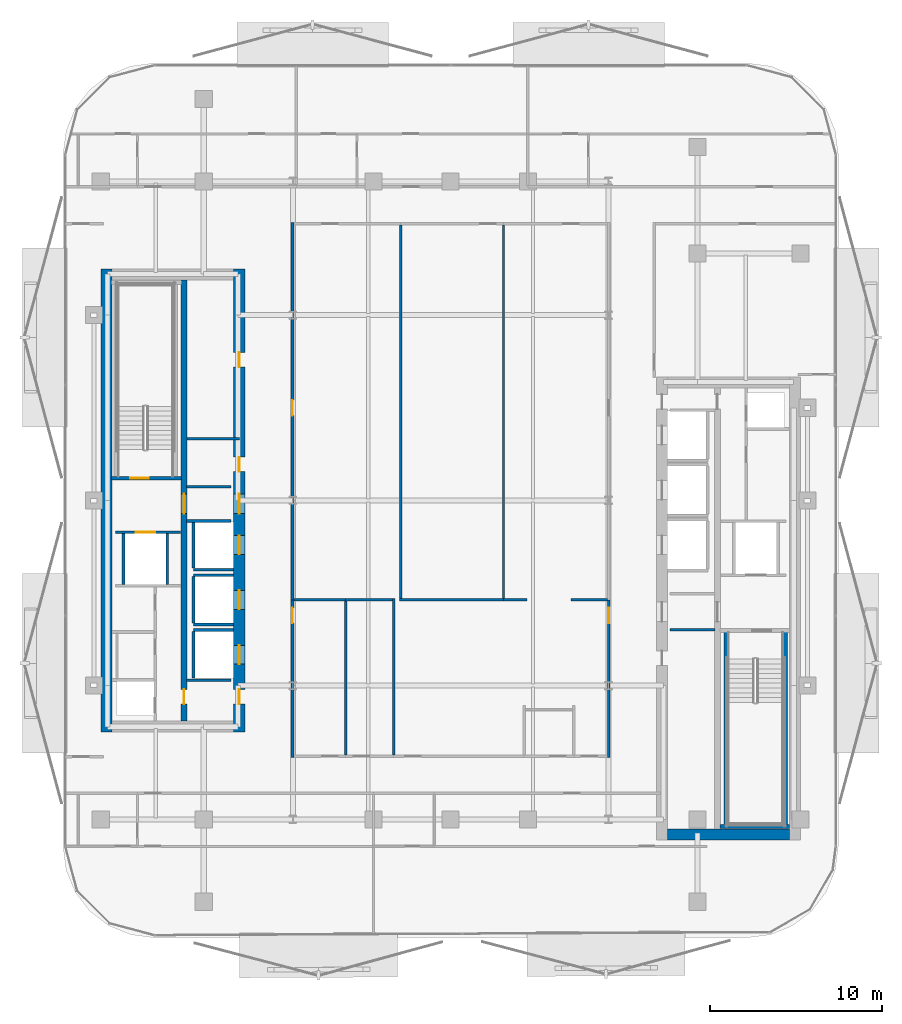
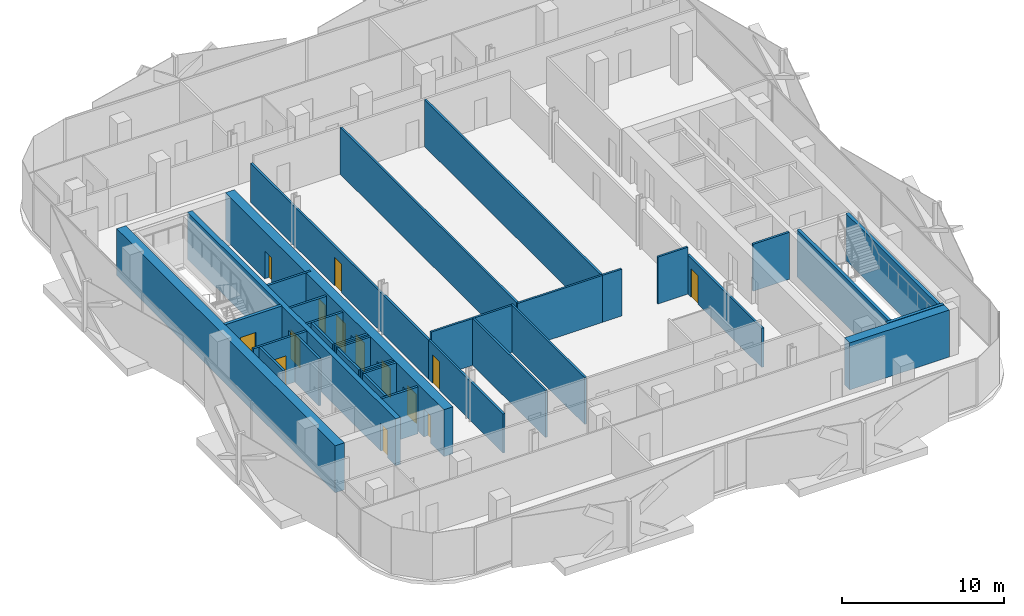
# One storey, part 4 of 16: 35 walls, 14 doors, 14 openings.
"""IFC4 building model written with IfcOpenShell, lengths in metres."""

from ifc_helpers import new_model, si_unit, direction, frame, frame_2d, origin, place, context, subcontext, project, spatial, rectangle, extrude, material, layer, layer_set, type_object, element, fill, save


model = new_model("IFC4")

# Units and contexts
model_context = context("Model", 3, precision=1e-05, world=origin(), true_north=direction((0.0, 1.0)))
body_context = subcontext(model_context, "Body", "Model", "MODEL_VIEW")
ifc_project = project(units=[si_unit("LENGTHUNIT", "METRE"), si_unit("AREAUNIT", "SQUARE_METRE"), si_unit("VOLUMEUNIT", "CUBIC_METRE"), si_unit("PLANEANGLEUNIT", "RADIAN"), si_unit("MASSUNIT", "GRAM", prefix="KILO")], contexts=[model_context])

# Site, building, storey
site_placement = place(None, origin())
site = spatial("IfcSite", under=ifc_project, at=site_placement, CompositionType="ELEMENT")
building_placement = place(site_placement, origin())
building = spatial("IfcBuilding", under=site, at=building_placement, Name="Khairoan Windgate Tower", CompositionType="ELEMENT")
storey_placement = place(building_placement, frame((0.0, 0.0, 187.800048828125)))
storey = spatial("IfcBuildingStorey", under=building, at=storey_placement, Name="L43", CompositionType="ELEMENT", Elevation=187.800048828125)

# Walls
ifc_material_1 = material(Name="Concrete C40/50", Category="concrete")
ifc_layer_1 = layer(ifc_material_1, 0.159912109375, Name="Concrete C40/50")
ifc_layer_set_1 = layer_set([ifc_layer_1], Name="Concrete C40/50")
wall_type_1 = type_object("IfcWallType", Name="Core and Hoistway Enclosure Wall", PredefinedType="STANDARD", material=ifc_layer_set_1)
wall_1_placement = place(storey_placement, frame((-14.989990234375, -4.0400390625, 0.0), z_axis=(0.0, 0.0, 1.0), x_axis=(1.0, 0.0, 0.0)))
element("IfcWall", 1, at=wall_1_placement, inside=storey, type_object=wall_type_1, Name="L43 Lift PL4 Hoistway Divider S", PredefinedType="STANDARD", context=body_context, shape_type="SweptSolid", body=[
    extrude(rectangle(XDim=2.340087890625, YDim=0.159912109375, at=frame_2d((1.169921875, 0.0))), origin(), (0.0, 0.0, 1.0), 3.5400390625),
])
wall_2_placement = place(storey_placement, frame((-14.989990234375, -3.949951171875, 0.0), z_axis=(0.0, 0.0, 1.0), x_axis=(0.0, 1.0, 0.0)))
element("IfcWall", 2, at=wall_2_placement, inside=storey, type_object=wall_type_1, Name="L43 Lift PL4 Hoistway Back Wall", PredefinedType="STANDARD", context=body_context, shape_type="SweptSolid", body=[
    extrude(rectangle(XDim=2.699951171875, YDim=0.159912109375, at=frame_2d((1.35009765625, 0.0))), origin(), (0.0, 0.0, 1.0), 3.5400390625),
])
for number, where, z_axis, x_axis, name in (
    (3, (-14.989990234375, -7.239990234375, 0.0), (0.0, 0.0, 1.0), (1.0, 0.0, 0.0), "L43 Lift PL5 Hoistway Divider S"),
    (4, (-14.989990234375, -4.360107421875, 0.0), (0.0, 0.0, 1.0), (1.0, 0.0, 0.0), "L43 Lift PL5 Hoistway Divider N"),
):
    element("IfcWall", number, at=place(storey_placement, frame(where, z_axis=z_axis, x_axis=x_axis)), inside=storey, type_object=wall_type_1, Name=name, PredefinedType="STANDARD", context=body_context, shape_type="SweptSolid", body=[
        extrude(rectangle(XDim=2.340087890625, YDim=0.159912109375, at=frame_2d((1.169921875, 0.0))), origin(), (0.0, 0.0, 1.0), 3.5400390625),
    ])
wall_3_placement = place(storey_placement, frame((-14.989990234375, -7.14990234375, 0.0), z_axis=(0.0, 0.0, 1.0), x_axis=(0.0, 1.0, 0.0)))
element("IfcWall", 5, at=wall_3_placement, inside=storey, type_object=wall_type_1, Name="L43 Lift PL5 Hoistway Back Wall", PredefinedType="STANDARD", context=body_context, shape_type="SweptSolid", body=[
    extrude(rectangle(XDim=2.699951171875, YDim=0.159912109375, at=frame_2d((1.35009765625, 0.0))), origin(), (0.0, 0.0, 1.0), 3.5400390625),
])
wall_4_placement = place(storey_placement, frame((-14.989990234375, -7.56005859375, 0.0), z_axis=(0.0, 0.0, 1.0), x_axis=(1.0, 0.0, 0.0)))
element("IfcWall", 6, at=wall_4_placement, inside=storey, type_object=wall_type_1, Name="L43 Lift PL6 Hoistway Divider N", PredefinedType="STANDARD", context=body_context, shape_type="SweptSolid", body=[
    extrude(rectangle(XDim=2.340087890625, YDim=0.159912109375, at=frame_2d((1.169921875, 0.0))), origin(), (0.0, 0.0, 1.0), 3.5400390625),
])
wall_5_placement = place(storey_placement, frame((-14.989990234375, -10.35009765625, 0.0), z_axis=(0.0, 0.0, 1.0), x_axis=(0.0, 1.0, 0.0)))
element("IfcWall", 7, at=wall_5_placement, inside=storey, type_object=wall_type_1, Name="L43 Lift PL6 Hoistway Back Wall", PredefinedType="STANDARD", context=body_context, shape_type="SweptSolid", body=[
    extrude(rectangle(XDim=2.7001953125, YDim=0.159912109375, at=frame_2d((1.35009765625, 0.0))), origin(), (0.0, 0.0, 1.0), 3.5400390625),
])

# Wall, opening, door
wall_6_placement = place(storey_placement, frame((-19.550048828125, -1.860107421875, 0.0), z_axis=(0.0, 0.0, 1.0), x_axis=(1.0, 0.0, 0.0)))
wall_6 = element("IfcWall", 8, at=wall_6_placement, inside=storey, type_object=wall_type_1, Name="L43 Core Shaft Wall SW-FL2-L43", PredefinedType="STANDARD", context=body_context, shape_type="SweptSolid", body=[
    extrude(rectangle(XDim=3.800048828125, YDim=0.159912109375, at=frame_2d((1.89990234375, 0.0))), origin(), (0.0, 0.0, 1.0), 3.5400390625),
])
opening_1_placement = place(wall_6_placement, frame((1.179931640625, 0.0, 0.0)))
opening_1 = element("IfcOpeningElement", 9, at=opening_1_placement, cuts=wall_6, Name="Opening LD-FL", PredefinedType="OPENING", context=body_context, shape_type="SweptSolid", body=[
    extrude(rectangle(XDim=1.14990234375, YDim=2.199951171875, at=frame_2d((0.574951171875, 1.10009765625))), frame((0.0, 0.08984375, 0.0), z_axis=(0.0, -1.0, 0.0), x_axis=(1.0, 0.0, 0.0)), (0.0, 0.0, 1.0), 0.179931640625),
])
ifc_material_2 = material(Name="Steel S355", Category="steel")
door_type_1 = type_object("IfcDoorType", Name="Firefighting Lift Sliding Landing Door LD-FL 1150x2200", OperationType="DOUBLE_DOOR_SLIDING", PredefinedType="DOOR", material=ifc_material_2)
door_1_placement = place(opening_1_placement, origin())
door_1 = element("IfcDoor", 10, at=door_1_placement, inside=storey, type_object=door_type_1, Name="L43 Firefighting Lift FL2 Landing Door", OperationType="DOUBLE_DOOR_SLIDING", OverallHeight=2.199951171875, OverallWidth=1.14990234375, PredefinedType="DOOR", context=body_context, shape_type="SweptSolid", body=[
    extrude(rectangle(XDim=1.14990234375, YDim=2.199951171875, at=frame_2d((0.574951171875, 1.10009765625))), frame((0.0, 0.02490234375, 0.0), z_axis=(0.0, -1.0, 0.0), x_axis=(1.0, 0.0, 0.0)), (0.0, 0.0, 1.0), 0.050048828125),
])
fill(opening_1, door_1)

# Walls
for number, where, z_axis, x_axis, name in (
    (11, (-19.080078125, -4.89990234375, 0.0), (0.0, 0.0, 1.0), (0.0, 1.0, 0.0), "L43 Core Shaft Wall SW-FL2W-L43"),
    (12, (-16.52001953125, -4.89990234375, 0.0), (0.0, 0.0, 1.0), (0.0, 1.0, 0.0), "L43 Core Shaft Wall SW-FL2E-L43"),
):
    element("IfcWall", number, at=place(storey_placement, frame(where, z_axis=z_axis, x_axis=x_axis)), inside=storey, type_object=wall_type_1, Name=name, PredefinedType="STANDARD", context=body_context, shape_type="SweptSolid", body=[
        extrude(rectangle(XDim=2.9599609375, YDim=0.159912109375, at=frame_2d((1.47998046875, 0.0))), origin(), (0.0, 0.0, 1.0), 3.5400390625),
    ])
for number, where, z_axis, x_axis, name in (
    (13, (-15.39990234375, 0.800048828125, 0.0), (0.0, 0.0, 1.0), (1.0, 0.0, 0.0), "L43 Core Shaft Wall SW-WV1-L43"),
    (14, (-15.39990234375, -1.199951171875, 0.0), (0.0, 0.0, 1.0), (1.0, 0.0, 0.0), "L43 Core Shaft Wall SW-WV2-L43"),
    (15, (-15.39990234375, -10.47998046875, 0.0), (0.0, 0.0, 1.0), (1.0, 0.0, 0.0), "L43 Core Shaft Wall SW-WSV-L43"),
    (16, (12.800048828125, -7.5400390625, 0.0), (0.0, 0.0, 1.0), (1.0, 0.0, 0.0), "L43 Core Shaft Wall SW-EV2-L43"),
):
    element("IfcWall", number, at=place(storey_placement, frame(where, z_axis=z_axis, x_axis=x_axis)), inside=storey, type_object=wall_type_1, Name=name, PredefinedType="STANDARD", context=body_context, shape_type="SweptSolid", body=[
        extrude(rectangle(XDim=2.599853515625, YDim=0.159912109375, at=frame_2d((1.2998046875, 0.0))), origin(), (0.0, 0.0, 1.0), 3.5400390625),
    ])
ifc_material_3 = material(Name="Acoustic Fire-Rated Gypsum Partition", Category="gypsum")
ifc_layer_2 = layer(ifc_material_3, 0.139892578125, Name="Acoustic Fire-Rated Gypsum Partition")
ifc_layer_set_2 = layer_set([ifc_layer_2], Name="Acoustic Fire-Rated Gypsum Partition")
wall_type_2 = type_object("IfcWallType", Name="Inter-Tenancy Compartment Wall", PredefinedType="PARTITIONING", material=ifc_layer_set_2)
wall_7_placement = place(storey_placement, frame((-6.1201171875, -14.844970703125, 0.0), z_axis=(0.0, 0.0, 1.0), x_axis=(0.0, 1.0, 0.0)))
element("IfcWall", 17, at=wall_7_placement, inside=storey, type_object=wall_type_2, Name="L43 Interior Partition 036", PredefinedType="PARTITIONING", context=body_context, shape_type="SweptSolid", body=[
    extrude(rectangle(XDim=8.974853515625, YDim=0.139892578125, at=frame_2d((4.4873046875, 0.0))), origin(), (0.0, 0.0, 1.0), 3.5400390625),
])
wall_8_placement = place(storey_placement, frame((-9.14501953125, -5.800048828125, 0.0), z_axis=(0.0, 0.0, 1.0), x_axis=(1.0, 0.0, 0.0)))
element("IfcWall", 18, at=wall_8_placement, inside=storey, type_object=wall_type_2, Name="L43 Interior Partition 037", PredefinedType="PARTITIONING", context=body_context, shape_type="SweptSolid", body=[
    extrude(rectangle(XDim=3.02490234375, YDim=0.139892578125, at=frame_2d((1.512451171875, 0.0))), origin(), (0.0, 0.0, 1.0), 3.5400390625),
])
wall_9_placement = place(storey_placement, frame((-3.320068359375, -14.844970703125, 0.0), z_axis=(0.0, 0.0, 1.0), x_axis=(0.0, 1.0, 0.0)))
element("IfcWall", 19, at=wall_9_placement, inside=storey, type_object=wall_type_2, Name="L43 Interior Partition 038", PredefinedType="PARTITIONING", context=body_context, shape_type="SweptSolid", body=[
    extrude(rectangle(XDim=9.114990234375, YDim=0.139892578125, at=frame_2d((4.5576171875, 0.0))), origin(), (0.0, 0.0, 1.0), 3.5400390625),
])
wall_10_placement = place(storey_placement, frame((-6.1201171875, -5.800048828125, 0.0), z_axis=(0.0, 0.0, 1.0), x_axis=(1.0, 0.0, 0.0)))
element("IfcWall", 20, at=wall_10_placement, inside=storey, type_object=wall_type_2, Name="L43 Interior Partition 039", PredefinedType="PARTITIONING", context=body_context, shape_type="SweptSolid", body=[
    extrude(rectangle(XDim=2.730224609375, YDim=0.139892578125, at=frame_2d((1.365234375, 0.0))), origin(), (0.0, 0.0, 1.0), 3.5400390625),
])
wall_11_placement = place(storey_placement, frame((-2.989990234375, -5.800048828125, 0.0), z_axis=(0.0, 0.0, 1.0), x_axis=(1.0, 0.0, 0.0)))
element("IfcWall", 21, at=wall_11_placement, inside=storey, type_object=wall_type_2, Name="L43 Interior Partition 041", PredefinedType="PARTITIONING", context=body_context, shape_type="SweptSolid", body=[
    extrude(rectangle(XDim=6.070068359375, YDim=0.139892578125, at=frame_2d((3.03515625, 0.0))), origin(), (0.0, 0.0, 1.0), 3.5400390625),
])
wall_12_placement = place(storey_placement, frame((3.080078125, -5.800048828125, 0.0), z_axis=(0.0, 0.0, 1.0), x_axis=(1.0, 0.0, 0.0)))
element("IfcWall", 22, at=wall_12_placement, inside=storey, type_object=wall_type_2, Name="L43 Interior Partition 042", PredefinedType="PARTITIONING", context=body_context, shape_type="SweptSolid", body=[
    extrude(rectangle(XDim=1.35986328125, YDim=0.139892578125, at=frame_2d((0.679931640625, 0.0))), origin(), (0.0, 0.0, 1.0), 3.5400390625),
])
wall_13_placement = place(storey_placement, frame((7.02001953125, -5.800048828125, 0.0), z_axis=(0.0, 0.0, 1.0), x_axis=(1.0, 0.0, 0.0)))
element("IfcWall", 23, at=wall_13_placement, inside=storey, type_object=wall_type_2, Name="L43 Interior Partition 044", PredefinedType="PARTITIONING", context=body_context, shape_type="SweptSolid", body=[
    extrude(rectangle(XDim=2.125, YDim=0.139892578125, at=frame_2d((1.0625, 0.0))), origin(), (0.0, 0.0, 1.0), 3.5400390625),
])
for number, where, z_axis, x_axis, name in (
    (24, (-2.919921875, -5.72998046875, 0.0), (0.0, 0.0, 1.0), (0.0, 1.0, 0.0), "L43 Interior Partition 045"),
    (25, (3.080078125, -5.72998046875, 0.0), (0.0, 0.0, 1.0), (0.0, 1.0, 0.0), "L43 Interior Partition 046"),
):
    element("IfcWall", number, at=place(storey_placement, frame(where, z_axis=z_axis, x_axis=x_axis)), inside=storey, type_object=wall_type_2, Name=name, PredefinedType="PARTITIONING", context=body_context, shape_type="SweptSolid", body=[
        extrude(rectangle(XDim=21.77490234375, YDim=0.139892578125, at=frame_2d((10.887451171875, 0.0))), origin(), (0.0, 0.0, 1.0), 3.5400390625),
    ])
ifc_material_4 = material(Name="Concrete C40/50", Category="concrete")
ifc_layer_3 = layer(ifc_material_4, 0.159912109375, Name="Concrete C40/50")
ifc_layer_set_3 = layer_set([ifc_layer_3], Name="Concrete C40/50")
wall_type_3 = type_object("IfcWallType", Name="Plant and Refuge Compartment Wall", PredefinedType="PARTITIONING", material=ifc_layer_set_3)
wall_14_placement = place(storey_placement, frame((-15.375, 3.60009765625, 0.0), z_axis=(0.0, 0.0, 1.0), x_axis=(1.0, 0.0, 0.0)))
element("IfcWall", 26, at=wall_14_placement, inside=storey, type_object=wall_type_3, Name="L43 Interior Partition 006", PredefinedType="PARTITIONING", context=body_context, shape_type="SweptSolid", body=[
    extrude(rectangle(XDim=3.06494140625, YDim=0.159912109375, at=frame_2d((1.532470703125, 0.0))), origin(), (0.0, 0.0, 1.0), 3.5400390625),
])

# Wall, opening, door
ifc_material_5 = material(Name="Acoustic Fire-Rated Gypsum Partition", Category="gypsum")
ifc_layer_4 = layer(ifc_material_5, 0.14990234375, Name="Acoustic Fire-Rated Gypsum Partition")
ifc_layer_set_4 = layer_set([ifc_layer_4], Name="Acoustic Fire-Rated Gypsum Partition")
wall_type_4 = type_object("IfcWallType", Name="Rated Corridor Partition Wall", PredefinedType="PARTITIONING", material=ifc_layer_set_4)
wall_15_placement = place(storey_placement, frame((-9.219970703125, -14.9951171875, 0.0), z_axis=(0.0, 0.0, 1.0), x_axis=(0.0, 1.0, 0.0)))
wall_15 = element("IfcWall", 27, at=wall_15_placement, inside=storey, type_object=wall_type_4, Name="L43 Interior Partition 010", PredefinedType="PARTITIONING", context=body_context, shape_type="SweptSolid", body=[
    extrude(rectangle(XDim=9.195068359375, YDim=0.14990234375, at=frame_2d((4.59765625, 0.0))), origin(), (0.0, 0.0, 1.0), 2.951904296875),
])
opening_2_placement = place(wall_15_placement, frame((7.8349609375, 0.0, 0.0)))
opening_2 = element("IfcOpeningElement", 28, at=opening_2_placement, cuts=wall_15, Name="Opening FD-ENT", PredefinedType="OPENING", context=body_context, shape_type="SweptSolid", body=[
    extrude(rectangle(XDim=0.89990234375, YDim=2.14990234375, at=frame_2d((0.449951171875, 1.074951171875))), frame((0.0, 0.0849609375, 0.0), z_axis=(0.0, -1.0, 0.0), x_axis=(1.0, 0.0, 0.0)), (0.0, 0.0, 1.0), 0.169921875),
])
ifc_material_6 = material(Name="Timber Fire-Rated Core", Category="wood")
door_type_2 = type_object("IfcDoorType", Name="Unit and Office Fire Entrance Door FD-ENT 900x2150", OperationType="NOTDEFINED", PredefinedType="DOOR", material=ifc_material_6)
door_2_placement = place(opening_2_placement, origin())
door_2 = element("IfcDoor", 29, at=door_2_placement, inside=storey, type_object=door_type_2, Name="L43 L43-27-L43-31 Door", OperationType="SINGLE_SWING_RIGHT", OverallHeight=2.14990234375, OverallWidth=0.89990234375, PredefinedType="DOOR", context=body_context, shape_type="SweptSolid", body=[
    extrude(rectangle(XDim=0.89990234375, YDim=2.14990234375, at=frame_2d((0.449951171875, 1.074951171875))), frame((0.0, 0.02490234375, 0.0), z_axis=(0.0, -1.0, 0.0), x_axis=(1.0, 0.0, 0.0)), (0.0, 0.0, 1.0), 0.050048828125),
])
fill(opening_2, door_2)

wall_16_placement = place(storey_placement, frame((-9.219970703125, -5.800048828125, 0.0), z_axis=(0.0, 0.0, 1.0), x_axis=(0.0, 1.0, 0.0)))
wall_16 = element("IfcWall", 30, at=wall_16_placement, inside=storey, type_object=wall_type_4, Name="L43 Interior Partition 011", PredefinedType="PARTITIONING", context=body_context, shape_type="SweptSolid", body=[
    extrude(rectangle(XDim=21.9951171875, YDim=0.14990234375, at=frame_2d((10.99755859375, 0.0))), origin(), (0.0, 0.0, 1.0), 2.951904296875),
])
opening_3_placement = place(wall_16_placement, frame((10.749267578125, 0.0, 0.0)))
opening_3 = element("IfcOpeningElement", 31, at=opening_3_placement, cuts=wall_16, Name="Opening FD-ENT", PredefinedType="OPENING", context=body_context, shape_type="SweptSolid", body=[
    extrude(rectangle(XDim=0.89990234375, YDim=2.14990234375, at=frame_2d((0.449951171875, 1.074951171875))), frame((0.0, 0.0849609375, 0.0), z_axis=(0.0, -1.0, 0.0), x_axis=(1.0, 0.0, 0.0)), (0.0, 0.0, 1.0), 0.169921875),
])
door_3_placement = place(opening_3_placement, origin())
door_3 = element("IfcDoor", 32, at=door_3_placement, inside=storey, type_object=door_type_2, Name="L43 L43-27-L43-36 Door", OperationType="SINGLE_SWING_LEFT", OverallHeight=2.14990234375, OverallWidth=0.89990234375, PredefinedType="DOOR", context=body_context, shape_type="SweptSolid", body=[
    extrude(rectangle(XDim=0.89990234375, YDim=2.14990234375, at=frame_2d((0.449951171875, 1.074951171875))), frame((0.0, 0.02490234375, 0.0), z_axis=(0.0, -1.0, 0.0), x_axis=(1.0, 0.0, 0.0)), (0.0, 0.0, 1.0), 0.050048828125),
])
fill(opening_3, door_3)

wall_17_placement = place(storey_placement, frame((9.219970703125, -14.9951171875, 0.0), z_axis=(0.0, 0.0, 1.0), x_axis=(0.0, 1.0, 0.0)))
wall_17 = element("IfcWall", 33, at=wall_17_placement, inside=storey, type_object=wall_type_4, Name="L43 Interior Partition 012", PredefinedType="PARTITIONING", context=body_context, shape_type="SweptSolid", body=[
    extrude(rectangle(XDim=9.195068359375, YDim=0.14990234375, at=frame_2d((4.59765625, 0.0))), origin(), (0.0, 0.0, 1.0), 2.951904296875),
])
opening_4_placement = place(wall_17_placement, frame((7.8349609375, 0.0, 0.0)))
opening_4 = element("IfcOpeningElement", 34, at=opening_4_placement, cuts=wall_17, Name="Opening FD-ENT", PredefinedType="OPENING", context=body_context, shape_type="SweptSolid", body=[
    extrude(rectangle(XDim=0.89990234375, YDim=2.14990234375, at=frame_2d((0.449951171875, 1.074951171875))), frame((0.0, 0.0849609375, 0.0), z_axis=(0.0, -1.0, 0.0), x_axis=(1.0, 0.0, 0.0)), (0.0, 0.0, 1.0), 0.169921875),
])
door_4_placement = place(opening_4_placement, origin())
door_4 = element("IfcDoor", 35, at=door_4_placement, inside=storey, type_object=door_type_2, Name="L43 L43-28-L43-35 Door", OperationType="SINGLE_SWING_RIGHT", OverallHeight=2.14990234375, OverallWidth=0.89990234375, PredefinedType="DOOR", context=body_context, shape_type="SweptSolid", body=[
    extrude(rectangle(XDim=0.89990234375, YDim=2.14990234375, at=frame_2d((0.449951171875, 1.074951171875))), frame((0.0, 0.02490234375, 0.0), z_axis=(0.0, -1.0, 0.0), x_axis=(1.0, 0.0, 0.0)), (0.0, 0.0, 1.0), 0.050048828125),
])
fill(opening_4, door_4)

# Walls
ifc_material_7 = material(Name="Concrete C60/75", Category="concrete")
ifc_layer_5 = layer(ifc_material_7, 0.64990234375, Name="Concrete C60/75")
ifc_layer_set_5 = layer_set([ifc_layer_5], Name="Concrete C60/75")
wall_type_5 = type_object("IfcWallType", Name="Shear Wall CW-E2 650mm", PredefinedType="SHEAR", material=ifc_layer_set_5)
wall_18_placement = place(storey_placement, frame((12.64990234375, -19.47509765625, 0.0), z_axis=(0.0, 0.0, 1.0), x_axis=(1.0, 0.0, 0.0)))
element("IfcWall", 36, at=wall_18_placement, inside=storey, type_object=wall_type_5, Name="E Core South Shear Wall L43", PredefinedType="SHEAR", context=body_context, shape_type="SweptSolid", body=[
    extrude(rectangle(XDim=7.10009765625, YDim=0.64990234375, at=frame_2d((3.550048828125, 0.0))), origin(), (0.0, 0.0, 1.0), 3.5400390625),
])
ifc_material_8 = material(Name="Concrete C60/75", Category="concrete")
ifc_layer_6 = layer(ifc_material_8, 0.64990234375, Name="Concrete C60/75")
ifc_layer_set_6 = layer_set([ifc_layer_6], Name="Concrete C60/75")
wall_type_6 = type_object("IfcWallType", Name="Shear Wall CW-W2 650mm", PredefinedType="SHEAR", material=ifc_layer_set_6)
wall_19_placement = place(storey_placement, frame((-20.074951171875, -13.5, 0.0), z_axis=(0.0, 0.0, 1.0), x_axis=(0.0, 1.0, 0.0)))
element("IfcWall", 37, at=wall_19_placement, inside=storey, type_object=wall_type_6, Name="W Core West Shear Wall L43", PredefinedType="SHEAR", context=body_context, shape_type="SweptSolid", body=[
    extrude(rectangle(XDim=27.0, YDim=0.64990234375, at=frame_2d((13.5, 0.0))), origin(), (0.0, 0.0, 1.0), 3.5400390625),
])

# Wall, openings, doors
wall_20_placement = place(storey_placement, frame((-12.324951171875, -13.5, 0.0), z_axis=(0.0, 0.0, 1.0), x_axis=(0.0, 1.0, 0.0)))
wall_20 = element("IfcWall", 38, at=wall_20_placement, inside=storey, type_object=wall_type_6, Name="W Core East Shear Wall L43", PredefinedType="SHEAR", context=body_context, shape_type="SweptSolid", body=[
    extrude(rectangle(XDim=27.0, YDim=0.64990234375, at=frame_2d((13.5, 0.0))), origin(), (0.0, 0.0, 1.0), 3.5400390625),
])
opening_5_placement = place(wall_20_placement, frame((10.35009765625, 0.0, 0.0)))
opening_5 = element("IfcOpeningElement", 39, at=opening_5_placement, cuts=wall_20, Name="Opening LD-PL", PredefinedType="OPENING", context=body_context, shape_type="SweptSolid", body=[
    extrude(rectangle(XDim=1.10009765625, YDim=2.199951171875, at=frame_2d((0.550048828125, 1.10009765625))), frame((0.0, 0.3349609375, 0.0), z_axis=(0.0, -1.0, 0.0), x_axis=(1.0, 0.0, 0.0)), (0.0, 0.0, 1.0), 0.669921875),
])
opening_6_placement = place(wall_20_placement, frame((7.14990234375, 0.0, 0.0)))
opening_6 = element("IfcOpeningElement", 40, at=opening_6_placement, cuts=wall_20, Name="Opening LD-PL", PredefinedType="OPENING", context=body_context, shape_type="SweptSolid", body=[
    extrude(rectangle(XDim=1.10009765625, YDim=2.199951171875, at=frame_2d((0.550048828125, 1.10009765625))), frame((0.0, 0.3349609375, 0.0), z_axis=(0.0, -1.0, 0.0), x_axis=(1.0, 0.0, 0.0)), (0.0, 0.0, 1.0), 0.669921875),
])
opening_7_placement = place(wall_20_placement, frame((3.949951171875, 0.0, 0.0)))
opening_7 = element("IfcOpeningElement", 41, at=opening_7_placement, cuts=wall_20, Name="Opening LD-PL", PredefinedType="OPENING", context=body_context, shape_type="SweptSolid", body=[
    extrude(rectangle(XDim=1.10009765625, YDim=2.199951171875, at=frame_2d((0.550048828125, 1.10009765625))), frame((0.0, 0.3349609375, 0.0), z_axis=(0.0, -1.0, 0.0), x_axis=(1.0, 0.0, 0.0)), (0.0, 0.0, 1.0), 0.669921875),
])
opening_8_placement = place(wall_20_placement, frame((15.175048828125, 0.0, 0.0)))
opening_8 = element("IfcOpeningElement", 42, at=opening_8_placement, cuts=wall_20, Name="Opening FD-SRV", PredefinedType="OPENING", context=body_context, shape_type="SweptSolid", body=[
    extrude(rectangle(XDim=0.85009765625, YDim=2.10009765625, at=frame_2d((0.425048828125, 1.050048828125))), frame((0.0, 0.3349609375, 0.0), z_axis=(0.0, -1.0, 0.0), x_axis=(1.0, 0.0, 0.0)), (0.0, 0.0, 1.0), 0.669921875),
])
opening_9_placement = place(wall_20_placement, frame((21.27490234375, 0.0, 0.0)))
opening_9 = element("IfcOpeningElement", 43, at=opening_9_placement, cuts=wall_20, Name="Opening FD-SRV", PredefinedType="OPENING", context=body_context, shape_type="SweptSolid", body=[
    extrude(rectangle(XDim=0.85009765625, YDim=2.10009765625, at=frame_2d((0.425048828125, 1.050048828125))), frame((0.0, 0.3349609375, 0.0), z_axis=(0.0, -1.0, 0.0), x_axis=(1.0, 0.0, 0.0)), (0.0, 0.0, 1.0), 0.669921875),
])
opening_10_placement = place(wall_20_placement, frame((12.72509765625, 0.0, 0.0)))
opening_10 = element("IfcOpeningElement", 44, at=opening_10_placement, cuts=wall_20, Name="Opening FD-FFL", PredefinedType="OPENING", context=body_context, shape_type="SweptSolid", body=[
    extrude(rectangle(XDim=1.14990234375, YDim=2.199951171875, at=frame_2d((0.574951171875, 1.10009765625))), frame((0.0, 0.3349609375, 0.0), z_axis=(0.0, -1.0, 0.0), x_axis=(1.0, 0.0, 0.0)), (0.0, 0.0, 1.0), 0.669921875),
])
opening_11_placement = place(wall_20_placement, frame((1.625, 0.0, 0.0)))
opening_11 = element("IfcOpeningElement", 45, at=opening_11_placement, cuts=wall_20, Name="Opening FD-SRV", PredefinedType="OPENING", context=body_context, shape_type="SweptSolid", body=[
    extrude(rectangle(XDim=0.85009765625, YDim=2.10009765625, at=frame_2d((0.425048828125, 1.050048828125))), frame((0.0, 0.3349609375, 0.0), z_axis=(0.0, -1.0, 0.0), x_axis=(1.0, 0.0, 0.0)), (0.0, 0.0, 1.0), 0.669921875),
])
ifc_material_9 = material(Name="Steel S355", Category="steel")
door_type_3 = type_object("IfcDoorType", Name="Core Service and Riser Fire Door FD-SRV 850x2100", OperationType="NOTDEFINED", PredefinedType="DOOR", material=ifc_material_9)
door_5_placement = place(opening_8_placement, origin())
door_5 = element("IfcDoor", 46, at=door_5_placement, inside=storey, type_object=door_type_3, Name="L43 Upper Core Room Door B1-1", OperationType="SINGLE_SWING_RIGHT", OverallHeight=2.10009765625, OverallWidth=0.85009765625, PredefinedType="DOOR", context=body_context, shape_type="SweptSolid", body=[
    extrude(rectangle(XDim=0.85009765625, YDim=2.10009765625, at=frame_2d((0.425048828125, 1.050048828125))), frame((0.0, 0.02490234375, 0.0), z_axis=(0.0, -1.0, 0.0), x_axis=(1.0, 0.0, 0.0)), (0.0, 0.0, 1.0), 0.050048828125),
])
fill(opening_8, door_5)
door_6_placement = place(opening_9_placement, origin())
door_6 = element("IfcDoor", 47, at=door_6_placement, inside=storey, type_object=door_type_3, Name="L43 Upper Core Room Door B1-2", OperationType="SINGLE_SWING_LEFT", OverallHeight=2.10009765625, OverallWidth=0.85009765625, PredefinedType="DOOR", context=body_context, shape_type="SweptSolid", body=[
    extrude(rectangle(XDim=0.85009765625, YDim=2.10009765625, at=frame_2d((0.425048828125, 1.050048828125))), frame((0.0, 0.02490234375, 0.0), z_axis=(0.0, -1.0, 0.0), x_axis=(1.0, 0.0, 0.0)), (0.0, 0.0, 1.0), 0.050048828125),
])
fill(opening_9, door_6)
door_7_placement = place(opening_11_placement, origin())
door_7 = element("IfcDoor", 48, at=door_7_placement, inside=storey, type_object=door_type_3, Name="L43 West Core Service Vestibule Outer Door", OperationType="SINGLE_SWING_LEFT", OverallHeight=2.10009765625, OverallWidth=0.85009765625, PredefinedType="DOOR", context=body_context, shape_type="SweptSolid", body=[
    extrude(rectangle(XDim=0.85009765625, YDim=2.10009765625, at=frame_2d((0.425048828125, 1.050048828125))), frame((0.0, 0.02490234375, 0.0), z_axis=(0.0, -1.0, 0.0), x_axis=(1.0, 0.0, 0.0)), (0.0, 0.0, 1.0), 0.050048828125),
])
fill(opening_11, door_7)
ifc_material_10 = material(Name="Steel S355", Category="steel")
door_type_4 = type_object("IfcDoorType", Name="Firefighting Lobby Fire Door FD-FFL 1150x2200", OperationType="NOTDEFINED", PredefinedType="DOOR", material=ifc_material_10)
door_8_placement = place(opening_10_placement, origin())
door_8 = element("IfcDoor", 49, at=door_8_placement, inside=storey, type_object=door_type_4, Name="L43 West Core Vestibule Entry Door", OperationType="SINGLE_SWING_LEFT", OverallHeight=2.199951171875, OverallWidth=1.14990234375, PredefinedType="DOOR", context=body_context, shape_type="SweptSolid", body=[
    extrude(rectangle(XDim=1.14990234375, YDim=2.199951171875, at=frame_2d((0.574951171875, 1.10009765625))), frame((0.0, 0.02490234375, 0.0), z_axis=(0.0, -1.0, 0.0), x_axis=(1.0, 0.0, 0.0)), (0.0, 0.0, 1.0), 0.050048828125),
])
fill(opening_10, door_8)
ifc_material_11 = material(Name="Anodised Bronze Aluminium 6063-T6", Category="aluminium")
door_type_5 = type_object("IfcDoorType", Name="Passenger Lift Sliding Landing Door LD-PL 1100x2200", OperationType="DOUBLE_DOOR_SLIDING", PredefinedType="DOOR", material=ifc_material_11)
door_9_placement = place(opening_5_placement, origin())
door_9 = element("IfcDoor", 50, at=door_9_placement, inside=storey, type_object=door_type_5, Name="L43 Lift PL4 Sliding Landing Door", OperationType="DOUBLE_DOOR_SLIDING", OverallHeight=2.199951171875, OverallWidth=1.10009765625, PredefinedType="DOOR", context=body_context, shape_type="SweptSolid", body=[
    extrude(rectangle(XDim=1.10009765625, YDim=2.199951171875, at=frame_2d((0.550048828125, 1.10009765625))), frame((0.0, 0.02490234375, 0.0), z_axis=(0.0, -1.0, 0.0), x_axis=(1.0, 0.0, 0.0)), (0.0, 0.0, 1.0), 0.050048828125),
])
fill(opening_5, door_9)
door_10_placement = place(opening_6_placement, origin())
door_10 = element("IfcDoor", 51, at=door_10_placement, inside=storey, type_object=door_type_5, Name="L43 Lift PL5 Sliding Landing Door", OperationType="DOUBLE_DOOR_SLIDING", OverallHeight=2.199951171875, OverallWidth=1.10009765625, PredefinedType="DOOR", context=body_context, shape_type="SweptSolid", body=[
    extrude(rectangle(XDim=1.10009765625, YDim=2.199951171875, at=frame_2d((0.550048828125, 1.10009765625))), frame((0.0, 0.02490234375, 0.0), z_axis=(0.0, -1.0, 0.0), x_axis=(1.0, 0.0, 0.0)), (0.0, 0.0, 1.0), 0.050048828125),
])
fill(opening_6, door_10)
door_11_placement = place(opening_7_placement, origin())
door_11 = element("IfcDoor", 52, at=door_11_placement, inside=storey, type_object=door_type_5, Name="L43 Lift PL6 Sliding Landing Door", OperationType="DOUBLE_DOOR_SLIDING", OverallHeight=2.199951171875, OverallWidth=1.10009765625, PredefinedType="DOOR", context=body_context, shape_type="SweptSolid", body=[
    extrude(rectangle(XDim=1.10009765625, YDim=2.199951171875, at=frame_2d((0.550048828125, 1.10009765625))), frame((0.0, 0.02490234375, 0.0), z_axis=(0.0, -1.0, 0.0), x_axis=(1.0, 0.0, 0.0)), (0.0, 0.0, 1.0), 0.050048828125),
])
fill(opening_7, door_11)

ifc_material_12 = material(Name="Concrete C60/75", Category="concrete")
ifc_layer_7 = layer(ifc_material_12, 0.35009765625, Name="Concrete C60/75")
ifc_layer_set_7 = layer_set([ifc_layer_7], Name="Concrete C60/75")
wall_type_7 = type_object("IfcWallType", Name="Shear Wall SW-1 350mm", PredefinedType="SHEAR", material=ifc_layer_set_7)
wall_21_placement = place(storey_placement, frame((-15.550048828125, -12.85009765625, 0.0), z_axis=(0.0, 0.0, 1.0), x_axis=(0.0, 1.0, 0.0)))
wall_21 = element("IfcWall", 53, at=wall_21_placement, inside=storey, type_object=wall_type_7, Name="W Core Spine Shear Wall L43", PredefinedType="SHEAR", context=body_context, shape_type="SweptSolid", body=[
    extrude(rectangle(XDim=25.7001953125, YDim=0.35009765625, at=frame_2d((12.85009765625, 0.0))), origin(), (0.0, 0.0, 1.0), 3.5400390625),
])
opening_12_placement = place(wall_21_placement, frame((12.074951171875, 0.0, 0.0)))
opening_12 = element("IfcOpeningElement", 54, at=opening_12_placement, cuts=wall_21, Name="Opening FD-FFL", PredefinedType="OPENING", context=body_context, shape_type="SweptSolid", body=[
    extrude(rectangle(XDim=1.14990234375, YDim=2.199951171875, at=frame_2d((0.574951171875, 1.10009765625))), frame((0.0, 0.18505859375, 0.0), z_axis=(0.0, -1.0, 0.0), x_axis=(1.0, 0.0, 0.0)), (0.0, 0.0, 1.0), 0.3701171875),
])
opening_13_placement = place(wall_21_placement, frame((0.97509765625, 0.0, 0.0)))
opening_13 = element("IfcOpeningElement", 55, at=opening_13_placement, cuts=wall_21, Name="Opening FD-SRV", PredefinedType="OPENING", context=body_context, shape_type="SweptSolid", body=[
    extrude(rectangle(XDim=0.85009765625, YDim=2.10009765625, at=frame_2d((0.425048828125, 1.050048828125))), frame((0.0, 0.18505859375, 0.0), z_axis=(0.0, -1.0, 0.0), x_axis=(1.0, 0.0, 0.0)), (0.0, 0.0, 1.0), 0.3701171875),
])
door_12_placement = place(opening_13_placement, origin())
door_12 = element("IfcDoor", 56, at=door_12_placement, inside=storey, type_object=door_type_3, Name="L43 West Core Service Passage Inner Door", OperationType="SINGLE_SWING_RIGHT", OverallHeight=2.10009765625, OverallWidth=0.85009765625, PredefinedType="DOOR", context=body_context, shape_type="SweptSolid", body=[
    extrude(rectangle(XDim=0.85009765625, YDim=2.10009765625, at=frame_2d((0.425048828125, 1.050048828125))), frame((0.0, 0.02490234375, 0.0), z_axis=(0.0, -1.0, 0.0), x_axis=(1.0, 0.0, 0.0)), (0.0, 0.0, 1.0), 0.050048828125),
])
fill(opening_13, door_12)
door_13_placement = place(opening_12_placement, origin())
door_13 = element("IfcDoor", 57, at=door_13_placement, inside=storey, type_object=door_type_4, Name="L43 West Firefighting Lobby Fire Door", OperationType="SINGLE_SWING_RIGHT", OverallHeight=2.199951171875, OverallWidth=1.14990234375, PredefinedType="DOOR", context=body_context, shape_type="SweptSolid", body=[
    extrude(rectangle(XDim=1.14990234375, YDim=2.199951171875, at=frame_2d((0.574951171875, 1.10009765625))), frame((0.0, 0.02490234375, 0.0), z_axis=(0.0, -1.0, 0.0), x_axis=(1.0, 0.0, 0.0)), (0.0, 0.0, 1.0), 0.050048828125),
])
fill(opening_12, door_13)

# Walls
ifc_material_13 = material(Name="Concrete C50/60", Category="concrete")
ifc_layer_8 = layer(ifc_material_13, 0.219970703125, Name="Concrete C50/60")
ifc_layer_set_8 = layer_set([ifc_layer_8], Name="Concrete C50/60")
wall_type_8 = type_object("IfcWallType", Name="Shear Wall SW-ST 220mm", PredefinedType="SHEAR", material=ifc_layer_set_8)
for number, where, z_axis, x_axis, name in (
    (58, (16.0400390625, -19.010009765625, 0.0), (0.0, 0.0, 1.0), (0.0, 1.0, 0.0), "L43 Stair ST1 West Bearing Wall"),
    (59, (19.530029296875, -19.010009765625, 0.0), (0.0, 0.0, 1.0), (0.0, 1.0, 0.0), "L43 Stair ST1 East Bearing Wall"),
):
    element("IfcWall", number, at=place(storey_placement, frame(where, z_axis=z_axis, x_axis=x_axis)), inside=storey, type_object=wall_type_8, Name=name, PredefinedType="SHEAR", context=body_context, shape_type="SweptSolid", body=[
        extrude(rectangle(XDim=11.419921875, YDim=0.219970703125, at=frame_2d((5.7099609375, 0.0))), origin(), (0.0, 0.0, 1.0), 3.5400390625),
    ])
wall_22_placement = place(storey_placement, frame((15.705078125, -19.010009765625, 0.0), z_axis=(0.0, 0.0, 1.0), x_axis=(1.0, 0.0, 0.0)))
element("IfcWall", 60, at=wall_22_placement, inside=storey, type_object=wall_type_8, Name="L43 Stair ST1 South Bearing Wall", PredefinedType="SHEAR", context=body_context, shape_type="SweptSolid", body=[
    extrude(rectangle(XDim=4.06494140625, YDim=0.219970703125, at=frame_2d((2.032470703125, 0.0))), origin(), (0.0, 0.0, 1.0), 3.5400390625),
])

# Wall, opening, door
wall_23_placement = place(storey_placement, frame((-19.77001953125, 1.2900390625, 0.0), z_axis=(0.0, 0.0, 1.0), x_axis=(1.0, 0.0, 0.0)))
wall_23 = element("IfcWall", 61, at=wall_23_placement, inside=storey, type_object=wall_type_8, Name="L43 Stair ST2 South Bearing Wall", PredefinedType="SHEAR", context=body_context, shape_type="SweptSolid", body=[
    extrude(rectangle(XDim=4.06494140625, YDim=0.219970703125, at=frame_2d((2.032470703125, 0.0))), origin(), (0.0, 0.0, 1.0), 3.5400390625),
])
opening_14_placement = place(wall_23_placement, frame((1.080078125, 0.0, 0.0)))
opening_14 = element("IfcOpeningElement", 62, at=opening_14_placement, cuts=wall_23, Name="Opening FD-ST", PredefinedType="OPENING", context=body_context, shape_type="SweptSolid", body=[
    extrude(rectangle(XDim=1.10009765625, YDim=2.199951171875, at=frame_2d((0.550048828125, 1.10009765625))), frame((0.0, 0.119873046875, 0.0), z_axis=(0.0, -1.0, 0.0), x_axis=(1.0, 0.0, 0.0)), (0.0, 0.0, 1.0), 0.239990234375),
])
ifc_material_14 = material(Name="Steel S355", Category="steel")
door_type_6 = type_object("IfcDoorType", Name="Smokeproof Stair Fire Door FD-ST 1100x2200", OperationType="NOTDEFINED", PredefinedType="DOOR", material=ifc_material_14)
door_14_placement = place(opening_14_placement, origin())
door_14 = element("IfcDoor", 63, at=door_14_placement, inside=storey, type_object=door_type_6, Name="L43 Stair ST2 Fire Door", OperationType="SINGLE_SWING_LEFT", OverallHeight=2.199951171875, OverallWidth=1.10009765625, PredefinedType="DOOR", context=body_context, shape_type="SweptSolid", body=[
    extrude(rectangle(XDim=1.10009765625, YDim=2.199951171875, at=frame_2d((0.550048828125, 1.10009765625))), frame((0.0, 0.02490234375, 0.0), z_axis=(0.0, -1.0, 0.0), x_axis=(1.0, 0.0, 0.0)), (0.0, 0.0, 1.0), 0.050048828125),
])
fill(opening_14, door_14)

save(model, "model.ifc")
